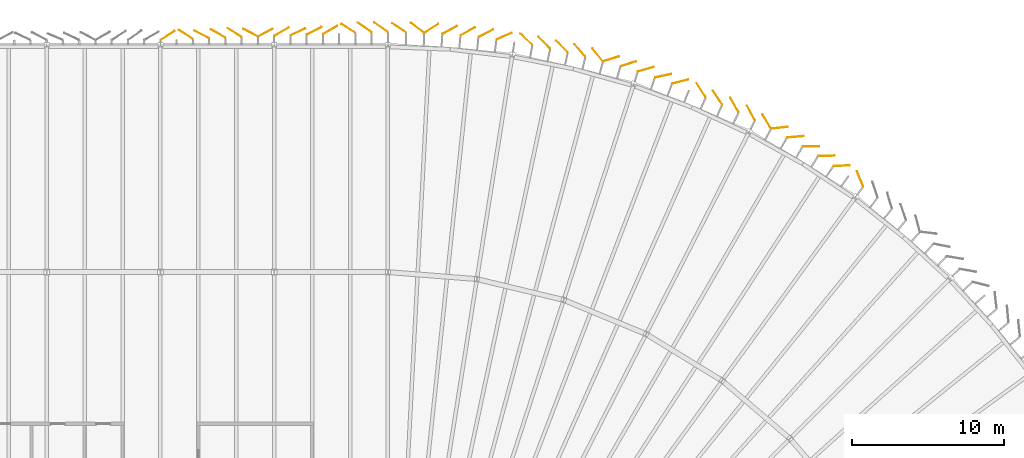
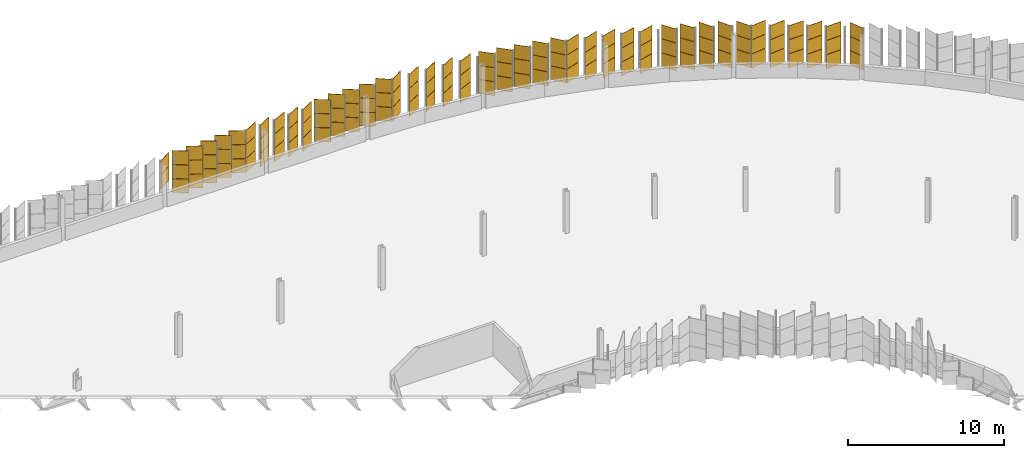
# One storey, part 199 of 199: 125 coverings.
"""IFC4 building model written with IfcOpenShell, lengths in metres."""

from ifc_helpers import new_model, si_unit, direction, frame, origin, origin_2d, place, context, subcontext, project, spatial, rectangle, extrude, material, layer, layer_set, type_object, element, save


model = new_model("IFC4")

# Units and contexts
model_context = context("Model", 3, precision=1e-05, world=origin(), true_north=direction((0.0, 1.0)))
body_context = subcontext(model_context, "Body", "Model", "MODEL_VIEW")
ifc_project = project(units=[si_unit("LENGTHUNIT", "METRE"), si_unit("AREAUNIT", "SQUARE_METRE"), si_unit("VOLUMEUNIT", "CUBIC_METRE"), si_unit("PLANEANGLEUNIT", "RADIAN"), si_unit("MASSUNIT", "GRAM", prefix="KILO")], contexts=[model_context])

# Site, building, storey
site_placement = place(None, origin())
site = spatial("IfcSite", under=ifc_project, at=site_placement, CompositionType="ELEMENT")
building_placement = place(site_placement, origin())
building = spatial("IfcBuilding", under=site, at=building_placement, Name="Parallax Yard Mobility Hub", CompositionType="ELEMENT")
storey_placement = place(building_placement, frame((0.0, 0.0, 9.89990234375)))
storey = spatial("IfcBuildingStorey", under=building, at=storey_placement, Name="L03", CompositionType="ELEMENT", Elevation=9.89990234375)

# Coverings
ifc_material_1 = material(Name="Aluminium panel, champagne finish", Category="aluminium")
ifc_layer_1 = layer(ifc_material_1, 0.030029296875)
ifc_layer_set_1 = layer_set([ifc_layer_1], Name="Skin panel 25 degree turn, champagne finish")
covering_type_1 = type_object("IfcCoveringType", Name="Skin panel 25 degree turn, champagne finish", PredefinedType="CLADDING", material=ifc_layer_set_1)
covering_placement = place(storey_placement, frame((166.576904296875, 143.346435546875, 0.02001953125), z_axis=(0.0, 0.0, 1.0), x_axis=(0.906307787037, 0.422618261741, 0.0)))
element("IfcCovering", 1, at=covering_placement, inside=storey, type_object=covering_type_1, Name="Skin panel 25 bay 51.6 row 1 level L03", ObjectType="SCREEN", PredefinedType="CLADDING", context=body_context, shape_type="SweptSolid", body=[
    extrude(rectangle(XDim=1.080078125, YDim=0.030029296875, at=origin_2d()), origin(), (0.0, 0.0, 1.0), 1.080078125),
])
ifc_material_2 = material(Name="Aluminium panel, silver anodised", Category="aluminium")
ifc_layer_2 = layer(ifc_material_2, 0.030029296875)
ifc_layer_set_2 = layer_set([ifc_layer_2], Name="Skin panel 25 degree turn, silver anodised")
covering_type_2 = type_object("IfcCoveringType", Name="Skin panel 25 degree turn, silver anodised", PredefinedType="CLADDING", material=ifc_layer_set_2)
for number, where, z_axis, x_axis, name in (
    (2, (166.576904296875, 143.346435546875, 1.1201171875), (0.0, 0.0, 1.0), (0.906307787037, 0.422618261741, 0.0), "Skin panel 25 bay 51.6 row 2 level L03"),
    (3, (166.576904296875, 143.346435546875, 2.219970703125), (0.0, 0.0, 1.0), (0.906307787037, 0.422618261741, 0.0), "Skin panel 25 bay 51.6 row 3 level L03"),
):
    element("IfcCovering", number, at=place(storey_placement, frame(where, z_axis=z_axis, x_axis=x_axis)), inside=storey, type_object=covering_type_2, Name=name, ObjectType="SCREEN", PredefinedType="CLADDING", context=body_context, shape_type="SweptSolid", body=[
        extrude(rectangle(XDim=1.080078125, YDim=0.030029296875, at=origin_2d()), origin(), (0.0, 0.0, 1.0), 1.080078125),
    ])
ifc_layer_3 = layer(ifc_material_1, 0.030029296875)
ifc_layer_set_3 = layer_set([ifc_layer_3], Name="Skin panel 27.5 degree turn, champagne finish")
covering_type_3 = type_object("IfcCoveringType", Name="Skin panel 27.5 degree turn, champagne finish", PredefinedType="CLADDING", material=ifc_layer_set_3)
for number, where, z_axis, x_axis, name in (
    (4, (167.6376953125, 143.408203125, 0.02001953125), (0.0, 0.0, 1.0), (0.887010833178, 0.461748613235, 0.0), "Skin panel 27.5 bay 51.5 row 1 level L03"),
    (5, (164.4228515625, 143.2880859375, 0.02001953125), (0.0, 0.0, 1.0), (0.887010833178, 0.461748613235, 0.0), "Skin panel 27.5 bay 52.1 row 1 level L03"),
    (6, (163.435791015625, 143.2880859375, 0.02001953125), (0.0, 0.0, 1.0), (-0.887010833178, 0.461748613235, 0.0), "Skin panel 27.5 bay 52.2 row 1 level L03"),
    (7, (160.22119140625, 143.167724609375, 0.02001953125), (0.0, 0.0, 1.0), (-0.887010833178, 0.461748613235, 0.0), "Skin panel 27.5 bay 52.5 row 1 level L03"),
):
    element("IfcCovering", number, at=place(storey_placement, frame(where, z_axis=z_axis, x_axis=x_axis)), inside=storey, type_object=covering_type_3, Name=name, ObjectType="SCREEN", PredefinedType="CLADDING", context=body_context, shape_type="SweptSolid", body=[
        extrude(rectangle(XDim=1.080078125, YDim=0.030029296875, at=origin_2d()), origin(), (0.0, 0.0, 1.0), 1.080078125),
    ])
ifc_layer_4 = layer(ifc_material_2, 0.030029296875)
ifc_layer_set_4 = layer_set([ifc_layer_4], Name="Skin panel 27.5 degree turn, silver anodised")
covering_type_4 = type_object("IfcCoveringType", Name="Skin panel 27.5 degree turn, silver anodised", PredefinedType="CLADDING", material=ifc_layer_set_4)
for number, where, z_axis, x_axis, name in (
    (8, (167.6376953125, 143.408203125, 1.1201171875), (0.0, 0.0, 1.0), (0.887010833178, 0.461748613235, 0.0), "Skin panel 27.5 bay 51.5 row 2 level L03"),
    (9, (167.6376953125, 143.408203125, 2.219970703125), (0.0, 0.0, 1.0), (0.887010833178, 0.461748613235, 0.0), "Skin panel 27.5 bay 51.5 row 3 level L03"),
    (10, (164.4228515625, 143.2880859375, 1.1201171875), (0.0, 0.0, 1.0), (0.887010833178, 0.461748613235, 0.0), "Skin panel 27.5 bay 52.1 row 2 level L03"),
    (11, (164.4228515625, 143.2880859375, 2.219970703125), (0.0, 0.0, 1.0), (0.887010833178, 0.461748613235, 0.0), "Skin panel 27.5 bay 52.1 row 3 level L03"),
    (12, (163.435791015625, 143.2880859375, 1.1201171875), (0.0, 0.0, 1.0), (-0.887010833178, 0.461748613235, 0.0), "Skin panel 27.5 bay 52.2 row 2 level L03"),
    (13, (163.435791015625, 143.2880859375, 2.219970703125), (0.0, 0.0, 1.0), (-0.887010833178, 0.461748613235, 0.0), "Skin panel 27.5 bay 52.2 row 3 level L03"),
    (14, (160.22119140625, 143.167724609375, 1.1201171875), (0.0, 0.0, 1.0), (-0.887010833178, 0.461748613235, 0.0), "Skin panel 27.5 bay 52.5 row 2 level L03"),
    (15, (160.22119140625, 143.167724609375, 2.219970703125), (0.0, 0.0, 1.0), (-0.887010833178, 0.461748613235, 0.0), "Skin panel 27.5 bay 52.5 row 3 level L03"),
):
    element("IfcCovering", number, at=place(storey_placement, frame(where, z_axis=z_axis, x_axis=x_axis)), inside=storey, type_object=covering_type_4, Name=name, ObjectType="SCREEN", PredefinedType="CLADDING", context=body_context, shape_type="SweptSolid", body=[
        extrude(rectangle(XDim=1.080078125, YDim=0.030029296875, at=origin_2d()), origin(), (0.0, 0.0, 1.0), 1.080078125),
    ])
ifc_layer_5 = layer(ifc_material_1, 0.030029296875)
ifc_layer_set_5 = layer_set([ifc_layer_5], Name="Skin panel 30 degree turn, champagne finish")
covering_type_5 = type_object("IfcCoveringType", Name="Skin panel 30 degree turn, champagne finish", PredefinedType="CLADDING", material=ifc_layer_set_5)
for number, where, z_axis, x_axis, name in (
    (16, (168.697509765625, 143.4697265625, 0.02001953125), (0.0, 0.0, 1.0), (0.866025403784, 0.5, 0.0), "Skin panel 30 bay 51.4 row 1 level L03"),
    (17, (165.48291015625, 143.349365234375, 0.02001953125), (0.0, 0.0, 1.0), (0.866025403784, 0.5, 0.0), "Skin panel 30 bay 51.7 row 1 level L03"),
    (18, (161.304443359375, 143.229248046875, 0.02001953125), (0.0, 0.0, 1.0), (-0.866025403784, 0.5, 0.0), "Skin panel 30 bay 52.4 row 1 level L03"),
):
    element("IfcCovering", number, at=place(storey_placement, frame(where, z_axis=z_axis, x_axis=x_axis)), inside=storey, type_object=covering_type_5, Name=name, ObjectType="SCREEN", PredefinedType="CLADDING", context=body_context, shape_type="SweptSolid", body=[
        extrude(rectangle(XDim=1.080078125, YDim=0.030029296875, at=origin_2d()), origin(), (0.0, 0.0, 1.0), 1.080078125),
    ])
ifc_layer_6 = layer(ifc_material_2, 0.030029296875)
ifc_layer_set_6 = layer_set([ifc_layer_6], Name="Skin panel 30 degree turn, silver anodised")
covering_type_6 = type_object("IfcCoveringType", Name="Skin panel 30 degree turn, silver anodised", PredefinedType="CLADDING", material=ifc_layer_set_6)
for number, where, z_axis, x_axis, name in (
    (19, (168.697509765625, 143.4697265625, 1.1201171875), (0.0, 0.0, 1.0), (0.866025403784, 0.5, 0.0), "Skin panel 30 bay 51.4 row 2 level L03"),
    (20, (168.697509765625, 143.4697265625, 2.219970703125), (0.0, 0.0, 1.0), (0.866025403784, 0.5, 0.0), "Skin panel 30 bay 51.4 row 3 level L03"),
    (21, (165.48291015625, 143.349365234375, 1.1201171875), (0.0, 0.0, 1.0), (0.866025403784, 0.5, 0.0), "Skin panel 30 bay 51.7 row 2 level L03"),
    (22, (165.48291015625, 143.349365234375, 2.219970703125), (0.0, 0.0, 1.0), (0.866025403784, 0.5, 0.0), "Skin panel 30 bay 51.7 row 3 level L03"),
    (23, (161.304443359375, 143.229248046875, 1.1201171875), (0.0, 0.0, 1.0), (-0.866025403784, 0.5, 0.0), "Skin panel 30 bay 52.4 row 2 level L03"),
    (24, (161.304443359375, 143.229248046875, 2.219970703125), (0.0, 0.0, 1.0), (-0.866025403784, 0.5, 0.0), "Skin panel 30 bay 52.4 row 3 level L03"),
):
    element("IfcCovering", number, at=place(storey_placement, frame(where, z_axis=z_axis, x_axis=x_axis)), inside=storey, type_object=covering_type_6, Name=name, ObjectType="SCREEN", PredefinedType="CLADDING", context=body_context, shape_type="SweptSolid", body=[
        extrude(rectangle(XDim=1.080078125, YDim=0.030029296875, at=origin_2d()), origin(), (0.0, 0.0, 1.0), 1.080078125),
    ])
ifc_layer_7 = layer(ifc_material_1, 0.030029296875)
ifc_layer_set_7 = layer_set([ifc_layer_7], Name="Skin panel 32.5 degree turn, champagne finish")
covering_type_7 = type_object("IfcCoveringType", Name="Skin panel 32.5 degree turn, champagne finish", PredefinedType="CLADDING", material=ifc_layer_set_7)
for number, where, z_axis, x_axis, name in (
    (25, (203.6376953125, 133.650146484375, 0.02001953125), (0.0, 0.0, 1.0), (-0.379750033177, 0.92508913749, 0.0), "Skin panel 32.5 bay 47.1 row 1 level L03"),
    (26, (200.39990234375, 135.781982421875, 0.02001953125), (0.0, 0.0, 1.0), (0.999946819934, 0.010312967731, 0.0), "Skin panel 32.5 bay 47.4 row 1 level L03"),
    (27, (197.486572265625, 137.430908203125, 0.02001953125), (0.0, 0.0, 1.0), (-0.507538362961, 0.861629160442, 0.0), "Skin panel 32.5 bay 47.7 row 1 level L03"),
    (28, (194.236572265625, 139.01416015625, 0.02001953125), (0.0, 0.0, 1.0), (-0.555899609138, 0.831249435826, 0.0), "Skin panel 32.5 bay 48.3 row 1 level L03"),
    (29, (190.650390625, 140.445556640625, 0.02001953125), (0.0, 0.0, 1.0), (0.977982184493, 0.208688396455, 0.0), "Skin panel 32.5 bay 48.6 row 1 level L03"),
    (30, (187.218017578125, 141.55908203125, 0.02001953125), (0.0, 0.0, 1.0), (0.956536634024, 0.29161218728, 0.0), "Skin panel 32.5 bay 49.2 row 1 level L03"),
    (31, (183.965087890625, 142.377197265625, 0.02001953125), (0.0, 0.0, 1.0), (-0.709906396482, 0.704296037355, 0.0), "Skin panel 32.5 bay 49.5 row 1 level L03"),
    (32, (180.164794921875, 143.05908203125, 0.02001953125), (0.0, 0.0, 1.0), (0.917060074385, 0.398749068925, 0.0), "Skin panel 32.5 bay 50.1 row 1 level L03"),
    (33, (176.579345703125, 143.462646484375, 0.02001953125), (0.0, 0.0, 1.0), (0.879573020775, 0.475763913222, 0.0), "Skin panel 32.5 bay 50.4 row 1 level L03"),
    (34, (173.22900390625, 143.612548828125, 0.02001953125), (0.0, 0.0, 1.0), (-0.835632922148, 0.54928828444, 0.0), "Skin panel 32.5 bay 50.7 row 1 level L03"),
    (35, (169.889404296875, 143.570556640625, 0.02001953125), (0.0, 0.0, 1.0), (-0.843391445813, 0.537299608347, 0.0), "Skin panel 32.5 bay 51.3 row 1 level L03"),
    (36, (162.388671875, 143.2900390625, 0.02001953125), (0.0, 0.0, 1.0), (-0.843391445813, 0.537299608347, 0.0), "Skin panel 32.5 bay 52.3 row 1 level L03"),
    (37, (159.174072265625, 143.169677734375, 0.02001953125), (0.0, 0.0, 1.0), (-0.843391445813, 0.537299608347, 0.0), "Skin panel 32.5 bay 52.6 row 1 level L03"),
):
    element("IfcCovering", number, at=place(storey_placement, frame(where, z_axis=z_axis, x_axis=x_axis)), inside=storey, type_object=covering_type_7, Name=name, ObjectType="SCREEN", PredefinedType="CLADDING", context=body_context, shape_type="SweptSolid", body=[
        extrude(rectangle(XDim=1.080078125, YDim=0.030029296875, at=origin_2d()), origin(), (0.0, 0.0, 1.0), 1.080078125),
    ])
ifc_layer_8 = layer(ifc_material_2, 0.030029296875)
ifc_layer_set_8 = layer_set([ifc_layer_8], Name="Skin panel 32.5 degree turn, silver anodised")
covering_type_8 = type_object("IfcCoveringType", Name="Skin panel 32.5 degree turn, silver anodised", PredefinedType="CLADDING", material=ifc_layer_set_8)
for number, where, z_axis, x_axis, name in (
    (38, (203.6376953125, 133.650146484375, 1.1201171875), (0.0, 0.0, 1.0), (-0.379750033177, 0.92508913749, 0.0), "Skin panel 32.5 bay 47.1 row 2 level L03"),
    (39, (203.6376953125, 133.650146484375, 2.219970703125), (0.0, 0.0, 1.0), (-0.379750033177, 0.92508913749, 0.0), "Skin panel 32.5 bay 47.1 row 3 level L03"),
    (40, (200.39990234375, 135.781982421875, 1.1201171875), (0.0, 0.0, 1.0), (0.999946819934, 0.010312967731, 0.0), "Skin panel 32.5 bay 47.4 row 2 level L03"),
    (41, (200.39990234375, 135.781982421875, 2.219970703125), (0.0, 0.0, 1.0), (0.999946819934, 0.010312967731, 0.0), "Skin panel 32.5 bay 47.4 row 3 level L03"),
    (42, (197.486572265625, 137.430908203125, 1.1201171875), (0.0, 0.0, 1.0), (-0.507538362961, 0.861629160442, 0.0), "Skin panel 32.5 bay 47.7 row 2 level L03"),
    (43, (197.486572265625, 137.430908203125, 2.219970703125), (0.0, 0.0, 1.0), (-0.507538362961, 0.861629160442, 0.0), "Skin panel 32.5 bay 47.7 row 3 level L03"),
    (44, (194.236572265625, 139.01416015625, 1.1201171875), (0.0, 0.0, 1.0), (-0.555899609138, 0.831249435826, 0.0), "Skin panel 32.5 bay 48.3 row 2 level L03"),
    (45, (194.236572265625, 139.01416015625, 2.219970703125), (0.0, 0.0, 1.0), (-0.555899609138, 0.831249435826, 0.0), "Skin panel 32.5 bay 48.3 row 3 level L03"),
    (46, (190.650390625, 140.445556640625, 1.1201171875), (0.0, 0.0, 1.0), (0.977982184493, 0.208688396455, 0.0), "Skin panel 32.5 bay 48.6 row 2 level L03"),
    (47, (190.650390625, 140.445556640625, 2.219970703125), (0.0, 0.0, 1.0), (0.977982184493, 0.208688396455, 0.0), "Skin panel 32.5 bay 48.6 row 3 level L03"),
    (48, (187.218017578125, 141.55908203125, 1.1201171875), (0.0, 0.0, 1.0), (0.956536634024, 0.29161218728, 0.0), "Skin panel 32.5 bay 49.2 row 2 level L03"),
    (49, (187.218017578125, 141.55908203125, 2.219970703125), (0.0, 0.0, 1.0), (0.956536634024, 0.29161218728, 0.0), "Skin panel 32.5 bay 49.2 row 3 level L03"),
    (50, (183.965087890625, 142.377197265625, 1.1201171875), (0.0, 0.0, 1.0), (-0.709906396482, 0.704296037355, 0.0), "Skin panel 32.5 bay 49.5 row 2 level L03"),
    (51, (183.965087890625, 142.377197265625, 2.219970703125), (0.0, 0.0, 1.0), (-0.709906396482, 0.704296037355, 0.0), "Skin panel 32.5 bay 49.5 row 3 level L03"),
    (52, (180.164794921875, 143.05908203125, 1.1201171875), (0.0, 0.0, 1.0), (0.917060074385, 0.398749068925, 0.0), "Skin panel 32.5 bay 50.1 row 2 level L03"),
    (53, (180.164794921875, 143.05908203125, 2.219970703125), (0.0, 0.0, 1.0), (0.917060074385, 0.398749068925, 0.0), "Skin panel 32.5 bay 50.1 row 3 level L03"),
    (54, (176.579345703125, 143.462646484375, 1.1201171875), (0.0, 0.0, 1.0), (0.879573020775, 0.475763913222, 0.0), "Skin panel 32.5 bay 50.4 row 2 level L03"),
    (55, (176.579345703125, 143.462646484375, 2.219970703125), (0.0, 0.0, 1.0), (0.879573020775, 0.475763913222, 0.0), "Skin panel 32.5 bay 50.4 row 3 level L03"),
    (56, (173.22900390625, 143.612548828125, 1.1201171875), (0.0, 0.0, 1.0), (-0.835632922148, 0.54928828444, 0.0), "Skin panel 32.5 bay 50.7 row 2 level L03"),
    (57, (173.22900390625, 143.612548828125, 2.219970703125), (0.0, 0.0, 1.0), (-0.835632922148, 0.54928828444, 0.0), "Skin panel 32.5 bay 50.7 row 3 level L03"),
    (58, (169.889404296875, 143.570556640625, 1.1201171875), (0.0, 0.0, 1.0), (-0.843391445813, 0.537299608347, 0.0), "Skin panel 32.5 bay 51.3 row 2 level L03"),
    (59, (169.889404296875, 143.570556640625, 2.219970703125), (0.0, 0.0, 1.0), (-0.843391445813, 0.537299608347, 0.0), "Skin panel 32.5 bay 51.3 row 3 level L03"),
    (60, (162.388671875, 143.2900390625, 1.1201171875), (0.0, 0.0, 1.0), (-0.843391445813, 0.537299608347, 0.0), "Skin panel 32.5 bay 52.3 row 2 level L03"),
    (61, (162.388671875, 143.2900390625, 2.219970703125), (0.0, 0.0, 1.0), (-0.843391445813, 0.537299608347, 0.0), "Skin panel 32.5 bay 52.3 row 3 level L03"),
    (62, (159.174072265625, 143.169677734375, 1.1201171875), (0.0, 0.0, 1.0), (-0.843391445813, 0.537299608347, 0.0), "Skin panel 32.5 bay 52.6 row 2 level L03"),
    (63, (159.174072265625, 143.169677734375, 2.219970703125), (0.0, 0.0, 1.0), (-0.843391445813, 0.537299608347, 0.0), "Skin panel 32.5 bay 52.6 row 3 level L03"),
    (64, (157.96923828125, 143.098876953125, 1.1201171875), (0.0, 0.0, 1.0), (0.843391445813, 0.537299608347, 0.0), "Skin panel 32.5 bay 52.7 row 2 level L03"),
    (65, (157.96923828125, 143.098876953125, 2.219970703125), (0.0, 0.0, 1.0), (0.843391445813, 0.537299608347, 0.0), "Skin panel 32.5 bay 52.7 row 3 level L03"),
):
    element("IfcCovering", number, at=place(storey_placement, frame(where, z_axis=z_axis, x_axis=x_axis)), inside=storey, type_object=covering_type_8, Name=name, ObjectType="SCREEN", PredefinedType="CLADDING", context=body_context, shape_type="SweptSolid", body=[
        extrude(rectangle(XDim=1.080078125, YDim=0.030029296875, at=origin_2d()), origin(), (0.0, 0.0, 1.0), 1.080078125),
    ])
ifc_layer_9 = layer(ifc_material_1, 0.030029296875)
ifc_layer_set_9 = layer_set([ifc_layer_9], Name="Skin panel 35 degree turn, champagne finish")
covering_type_9 = type_object("IfcCoveringType", Name="Skin panel 35 degree turn, champagne finish", PredefinedType="CLADDING", material=ifc_layer_set_9)
for number, where, z_axis, x_axis, name in (
    (66, (202.43017578125, 134.51171875, 0.02001953125), (0.0, 0.0, 1.0), (0.999677797528, 0.025383087454, 0.0), "Skin panel 35 bay 47.2 row 1 level L03"),
    (67, (201.421630859375, 135.16162109375, 0.02001953125), (0.0, 0.0, 1.0), (0.999677797528, 0.025383087454, 0.0), "Skin panel 35 bay 47.3 row 1 level L03"),
    (68, (199.374755859375, 136.41943359375, 0.02001953125), (0.0, 0.0, 1.0), (0.996598232046, 0.082413371996, 0.0), "Skin panel 35 bay 47.5 row 1 level L03"),
    (69, (198.32177734375, 137.01318359375, 0.02001953125), (0.0, 0.0, 1.0), (0.993838534806, 0.110837569146, 0.0), "Skin panel 35 bay 47.6 row 1 level L03"),
    (70, (196.444580078125, 137.99853515625, 0.02001953125), (0.0, 0.0, 1.0), (-0.469471562786, 0.882947592859, 0.0), "Skin panel 35 bay 48.1 row 1 level L03"),
    (71, (195.356201171875, 138.5244140625, 0.02001953125), (0.0, 0.0, 1.0), (-0.494494156864, 0.869180952867, 0.0), "Skin panel 35 bay 48.2 row 1 level L03"),
    (72, (193.158935546875, 139.495361328125, 0.02001953125), (0.0, 0.0, 1.0), (-0.543307795692, 0.839533584284, 0.0), "Skin panel 35 bay 48.4 row 1 level L03"),
    (73, (191.772216796875, 140.058837890625, 0.02001953125), (0.0, 0.0, 1.0), (0.967948502152, 0.251148755085, 0.0), "Skin panel 35 bay 48.5 row 1 level L03"),
    (74, (189.505126953125, 140.871337890625, 0.02001953125), (0.0, 0.0, 1.0), (0.960382258732, 0.278686054753, 0.0), "Skin panel 35 bay 48.7 row 1 level L03"),
    (75, (188.36865234375, 141.236572265625, 0.02001953125), (0.0, 0.0, 1.0), (0.952032240618, 0.305997733365, 0.0), "Skin panel 35 bay 49.1 row 1 level L03"),
    (76, (186.332275390625, 141.826416015625, 0.02001953125), (0.0, 0.0, 1.0), (-0.63546525355, 0.772129465524, 0.0), "Skin panel 35 bay 49.3 row 1 level L03"),
    (77, (185.160400390625, 142.12255859375, 0.02001953125), (0.0, 0.0, 1.0), (-0.657255552826, 0.753667790395, 0.0), "Skin panel 35 bay 49.4 row 1 level L03"),
    (78, (182.8134765625, 142.635009765625, 0.02001953125), (0.0, 0.0, 1.0), (-0.699209294965, 0.714917031434, 0.0), "Skin panel 35 bay 49.6 row 1 level L03"),
    (79, (181.623779296875, 142.848388671875, 0.02001953125), (0.0, 0.0, 1.0), (-0.719339800339, 0.694658370459, 0.0), "Skin panel 35 bay 49.7 row 1 level L03"),
    (80, (178.95751953125, 143.245849609375, 0.02001953125), (0.0, 0.0, 1.0), (0.885909068512, 0.463858946586, 0.0), "Skin panel 35 bay 50.2 row 1 level L03"),
    (81, (177.771240234375, 143.3779296875, 0.02001953125), (0.0, 0.0, 1.0), (0.872302351879, 0.488966877106, 0.0), "Skin panel 35 bay 50.3 row 1 level L03"),
    (82, (175.361572265625, 143.564208984375, 0.02001953125), (0.0, 0.0, 1.0), (0.842964496973, 0.537969196928, 0.0), "Skin panel 35 bay 50.5 row 1 level L03"),
    (83, (174.45068359375, 143.603271484375, 0.02001953125), (0.0, 0.0, 1.0), (-0.793836522636, 0.608131215552, 0.0), "Skin panel 35 bay 50.6 row 1 level L03"),
    (84, (172.046142578125, 143.642822265625, 0.02001953125), (0.0, 0.0, 1.0), (-0.819152044289, 0.573576436351, 0.0), "Skin panel 35 bay 51.1 row 1 level L03"),
    (85, (170.974609375, 143.630859375, 0.02001953125), (0.0, 0.0, 1.0), (-0.819152044289, 0.573576436351, 0.0), "Skin panel 35 bay 51.2 row 1 level L03"),
):
    element("IfcCovering", number, at=place(storey_placement, frame(where, z_axis=z_axis, x_axis=x_axis)), inside=storey, type_object=covering_type_9, Name=name, ObjectType="SCREEN", PredefinedType="CLADDING", context=body_context, shape_type="SweptSolid", body=[
        extrude(rectangle(XDim=1.080078125, YDim=0.030029296875, at=origin_2d()), origin(), (0.0, 0.0, 1.0), 1.080078125),
    ])
ifc_layer_10 = layer(ifc_material_2, 0.030029296875)
ifc_layer_set_10 = layer_set([ifc_layer_10], Name="Skin panel 35 degree turn, silver anodised")
covering_type_10 = type_object("IfcCoveringType", Name="Skin panel 35 degree turn, silver anodised", PredefinedType="CLADDING", material=ifc_layer_set_10)
for number, where, z_axis, x_axis, name in (
    (86, (202.43017578125, 134.51171875, 1.1201171875), (0.0, 0.0, 1.0), (0.999677797528, 0.025383087454, 0.0), "Skin panel 35 bay 47.2 row 2 level L03"),
    (87, (202.43017578125, 134.51171875, 2.219970703125), (0.0, 0.0, 1.0), (0.999677797528, 0.025383087454, 0.0), "Skin panel 35 bay 47.2 row 3 level L03"),
    (88, (201.421630859375, 135.16162109375, 1.1201171875), (0.0, 0.0, 1.0), (0.999677797528, 0.025383087454, 0.0), "Skin panel 35 bay 47.3 row 2 level L03"),
    (89, (201.421630859375, 135.16162109375, 2.219970703125), (0.0, 0.0, 1.0), (0.999677797528, 0.025383087454, 0.0), "Skin panel 35 bay 47.3 row 3 level L03"),
    (90, (199.374755859375, 136.41943359375, 1.1201171875), (0.0, 0.0, 1.0), (0.996598232046, 0.082413371996, 0.0), "Skin panel 35 bay 47.5 row 2 level L03"),
    (91, (199.374755859375, 136.41943359375, 2.219970703125), (0.0, 0.0, 1.0), (0.996598232046, 0.082413371996, 0.0), "Skin panel 35 bay 47.5 row 3 level L03"),
    (92, (198.32177734375, 137.01318359375, 1.1201171875), (0.0, 0.0, 1.0), (0.993838534806, 0.110837569146, 0.0), "Skin panel 35 bay 47.6 row 2 level L03"),
    (93, (198.32177734375, 137.01318359375, 2.219970703125), (0.0, 0.0, 1.0), (0.993838534806, 0.110837569146, 0.0), "Skin panel 35 bay 47.6 row 3 level L03"),
    (94, (196.444580078125, 137.99853515625, 1.1201171875), (0.0, 0.0, 1.0), (-0.469471562786, 0.882947592859, 0.0), "Skin panel 35 bay 48.1 row 2 level L03"),
    (95, (196.444580078125, 137.99853515625, 2.219970703125), (0.0, 0.0, 1.0), (-0.469471562786, 0.882947592859, 0.0), "Skin panel 35 bay 48.1 row 3 level L03"),
    (96, (195.356201171875, 138.5244140625, 1.1201171875), (0.0, 0.0, 1.0), (-0.494494156864, 0.869180952867, 0.0), "Skin panel 35 bay 48.2 row 2 level L03"),
    (97, (195.356201171875, 138.5244140625, 2.219970703125), (0.0, 0.0, 1.0), (-0.494494156864, 0.869180952867, 0.0), "Skin panel 35 bay 48.2 row 3 level L03"),
    (98, (193.158935546875, 139.495361328125, 1.1201171875), (0.0, 0.0, 1.0), (-0.543307795692, 0.839533584284, 0.0), "Skin panel 35 bay 48.4 row 2 level L03"),
    (99, (193.158935546875, 139.495361328125, 2.219970703125), (0.0, 0.0, 1.0), (-0.543307795692, 0.839533584284, 0.0), "Skin panel 35 bay 48.4 row 3 level L03"),
    (100, (191.772216796875, 140.058837890625, 1.1201171875), (0.0, 0.0, 1.0), (0.967948502152, 0.251148755085, 0.0), "Skin panel 35 bay 48.5 row 2 level L03"),
    (101, (191.772216796875, 140.058837890625, 2.219970703125), (0.0, 0.0, 1.0), (0.967948502152, 0.251148755085, 0.0), "Skin panel 35 bay 48.5 row 3 level L03"),
    (102, (189.505126953125, 140.871337890625, 1.1201171875), (0.0, 0.0, 1.0), (0.960382258732, 0.278686054753, 0.0), "Skin panel 35 bay 48.7 row 2 level L03"),
    (103, (189.505126953125, 140.871337890625, 2.219970703125), (0.0, 0.0, 1.0), (0.960382258732, 0.278686054753, 0.0), "Skin panel 35 bay 48.7 row 3 level L03"),
    (104, (188.36865234375, 141.236572265625, 1.1201171875), (0.0, 0.0, 1.0), (0.952032240618, 0.305997733365, 0.0), "Skin panel 35 bay 49.1 row 2 level L03"),
    (105, (188.36865234375, 141.236572265625, 2.219970703125), (0.0, 0.0, 1.0), (0.952032240618, 0.305997733365, 0.0), "Skin panel 35 bay 49.1 row 3 level L03"),
    (106, (186.332275390625, 141.826416015625, 1.1201171875), (0.0, 0.0, 1.0), (-0.63546525355, 0.772129465524, 0.0), "Skin panel 35 bay 49.3 row 2 level L03"),
    (107, (186.332275390625, 141.826416015625, 2.219970703125), (0.0, 0.0, 1.0), (-0.63546525355, 0.772129465524, 0.0), "Skin panel 35 bay 49.3 row 3 level L03"),
    (108, (185.160400390625, 142.12255859375, 1.1201171875), (0.0, 0.0, 1.0), (-0.657255552826, 0.753667790395, 0.0), "Skin panel 35 bay 49.4 row 2 level L03"),
    (109, (185.160400390625, 142.12255859375, 2.219970703125), (0.0, 0.0, 1.0), (-0.657255552826, 0.753667790395, 0.0), "Skin panel 35 bay 49.4 row 3 level L03"),
    (110, (182.8134765625, 142.635009765625, 1.1201171875), (0.0, 0.0, 1.0), (-0.699209294965, 0.714917031434, 0.0), "Skin panel 35 bay 49.6 row 2 level L03"),
    (111, (182.8134765625, 142.635009765625, 2.219970703125), (0.0, 0.0, 1.0), (-0.699209294965, 0.714917031434, 0.0), "Skin panel 35 bay 49.6 row 3 level L03"),
    (112, (181.623779296875, 142.848388671875, 1.1201171875), (0.0, 0.0, 1.0), (-0.719339800339, 0.694658370459, 0.0), "Skin panel 35 bay 49.7 row 2 level L03"),
    (113, (181.623779296875, 142.848388671875, 2.219970703125), (0.0, 0.0, 1.0), (-0.719339800339, 0.694658370459, 0.0), "Skin panel 35 bay 49.7 row 3 level L03"),
    (114, (178.95751953125, 143.245849609375, 1.1201171875), (0.0, 0.0, 1.0), (0.885909068512, 0.463858946586, 0.0), "Skin panel 35 bay 50.2 row 2 level L03"),
    (115, (178.95751953125, 143.245849609375, 2.219970703125), (0.0, 0.0, 1.0), (0.885909068512, 0.463858946586, 0.0), "Skin panel 35 bay 50.2 row 3 level L03"),
    (116, (177.771240234375, 143.3779296875, 1.1201171875), (0.0, 0.0, 1.0), (0.872302351879, 0.488966877106, 0.0), "Skin panel 35 bay 50.3 row 2 level L03"),
    (117, (177.771240234375, 143.3779296875, 2.219970703125), (0.0, 0.0, 1.0), (0.872302351879, 0.488966877106, 0.0), "Skin panel 35 bay 50.3 row 3 level L03"),
    (118, (175.361572265625, 143.564208984375, 1.1201171875), (0.0, 0.0, 1.0), (0.842964496973, 0.537969196928, 0.0), "Skin panel 35 bay 50.5 row 2 level L03"),
    (119, (175.361572265625, 143.564208984375, 2.219970703125), (0.0, 0.0, 1.0), (0.842964496973, 0.537969196928, 0.0), "Skin panel 35 bay 50.5 row 3 level L03"),
    (120, (174.45068359375, 143.603271484375, 1.1201171875), (0.0, 0.0, 1.0), (-0.793836522636, 0.608131215552, 0.0), "Skin panel 35 bay 50.6 row 2 level L03"),
    (121, (174.45068359375, 143.603271484375, 2.219970703125), (0.0, 0.0, 1.0), (-0.793836522636, 0.608131215552, 0.0), "Skin panel 35 bay 50.6 row 3 level L03"),
    (122, (172.046142578125, 143.642822265625, 1.1201171875), (0.0, 0.0, 1.0), (-0.819152044289, 0.573576436351, 0.0), "Skin panel 35 bay 51.1 row 2 level L03"),
    (123, (172.046142578125, 143.642822265625, 2.219970703125), (0.0, 0.0, 1.0), (-0.819152044289, 0.573576436351, 0.0), "Skin panel 35 bay 51.1 row 3 level L03"),
    (124, (170.974609375, 143.630859375, 1.1201171875), (0.0, 0.0, 1.0), (-0.819152044289, 0.573576436351, 0.0), "Skin panel 35 bay 51.2 row 2 level L03"),
    (125, (170.974609375, 143.630859375, 2.219970703125), (0.0, 0.0, 1.0), (-0.819152044289, 0.573576436351, 0.0), "Skin panel 35 bay 51.2 row 3 level L03"),
):
    element("IfcCovering", number, at=place(storey_placement, frame(where, z_axis=z_axis, x_axis=x_axis)), inside=storey, type_object=covering_type_10, Name=name, ObjectType="SCREEN", PredefinedType="CLADDING", context=body_context, shape_type="SweptSolid", body=[
        extrude(rectangle(XDim=1.080078125, YDim=0.030029296875, at=origin_2d()), origin(), (0.0, 0.0, 1.0), 1.080078125),
    ])

save(model, "model.ifc")
